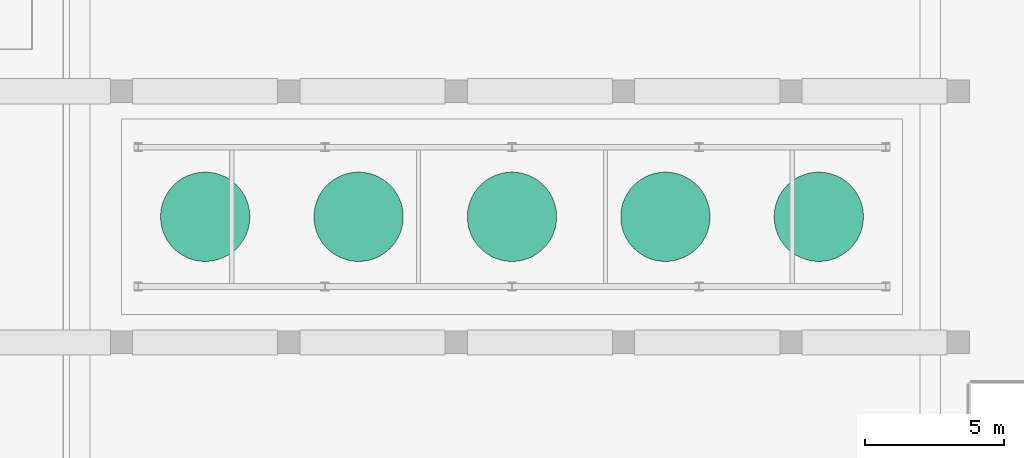
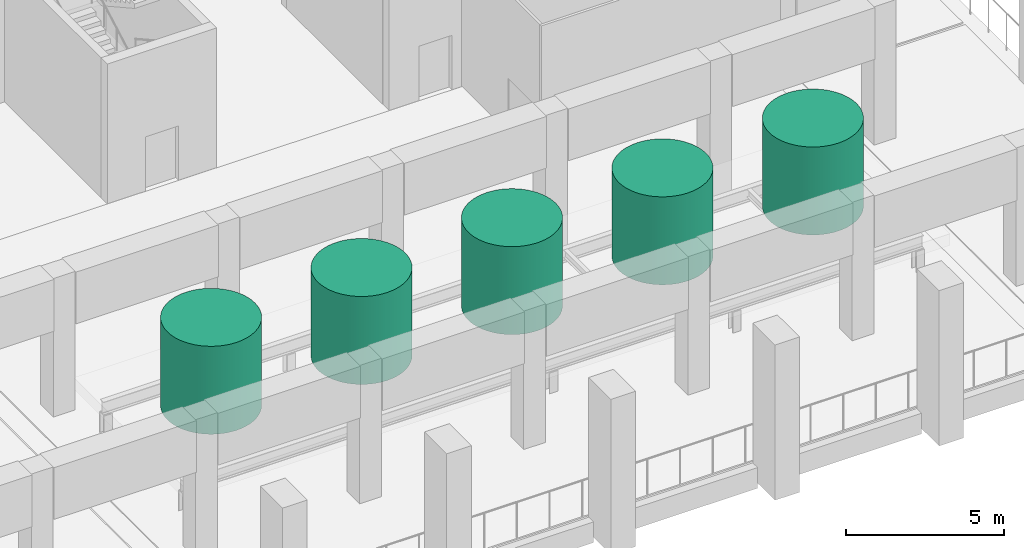
# One storey, part 11 of 11: 5 electric generators.
"""IFC4 building model written with IfcOpenShell, lengths in metres."""

from ifc_helpers import new_model, si_unit, direction, frame, origin, origin_2d, place, context, subcontext, project, spatial, circle, extrude, material, material_profile, profile_set, type_object, element, save


model = new_model("IFC4")

# Units and contexts
model_context = context("Model", 3, precision=1e-05, world=origin(), true_north=direction((0.0, 1.0)))
body_context = subcontext(model_context, "Body", "Model", "MODEL_VIEW")
ifc_project = project(units=[si_unit("LENGTHUNIT", "METRE"), si_unit("AREAUNIT", "SQUARE_METRE"), si_unit("VOLUMEUNIT", "CUBIC_METRE"), si_unit("PLANEANGLEUNIT", "RADIAN"), si_unit("MASSUNIT", "GRAM", prefix="KILO")], contexts=[model_context])

# Site, building, storey
site_placement = place(None, origin())
site = spatial("IfcSite", under=ifc_project, at=site_placement, CompositionType="ELEMENT")
building_placement = place(site_placement, origin())
building = spatial("IfcBuilding", under=site, at=building_placement, Name="Calvaro Tower", CompositionType="ELEMENT")
storey_placement = place(building_placement, frame((0.0, 0.0, 265.949951171875)))
storey = spatial("IfcBuildingStorey", under=building, at=storey_placement, Name="L67", CompositionType="ELEMENT", Elevation=265.949951171875)

# Electric generators
ifc_material = material(Name="Steel S355", Category="steel")
ifc_material_profile = material_profile(ifc_material, circle(Radius=1.60009765625, at=origin_2d()), Name="Wind turbine D3200")
ifc_profile_set = profile_set([ifc_material_profile], Name="Steel S355")
electric_generator_type = type_object("IfcElectricGeneratorType", Name="Wind turbine D3200", PredefinedType="USERDEFINED", material=ifc_profile_set)
for number, where, z_axis, x_axis, name in (
    (1, (33.0, 14.5, 1.800048828125), (0.0, 0.0, 1.0), (1.0, 0.0, 0.0), "WIND TURBINE 1"),
    (2, (38.5, 14.5, 1.800048828125), (0.0, 0.0, 1.0), (1.0, 0.0, 0.0), "WIND TURBINE 2"),
    (3, (44.0, 14.5, 1.800048828125), (0.0, 0.0, 1.0), (1.0, 0.0, 0.0), "WIND TURBINE 3"),
    (4, (49.5, 14.5, 1.800048828125), (0.0, 0.0, 1.0), (1.0, 0.0, 0.0), "WIND TURBINE 4"),
    (5, (55.0, 14.5, 1.800048828125), (0.0, 0.0, 1.0), (1.0, 0.0, 0.0), "WIND TURBINE 5"),
):
    element("IfcElectricGenerator", number, at=place(storey_placement, frame(where, z_axis=z_axis, x_axis=x_axis)), inside=storey, type_object=electric_generator_type, Name=name, ObjectType="WIND TURBINE", PredefinedType="USERDEFINED", context=body_context, shape_type="SweptSolid", body=[
        extrude(circle(Radius=1.60009765625, at=origin_2d()), origin(), (0.0, 0.0, 1.0), 3.39990234375),
    ])

save(model, "model.ifc")
